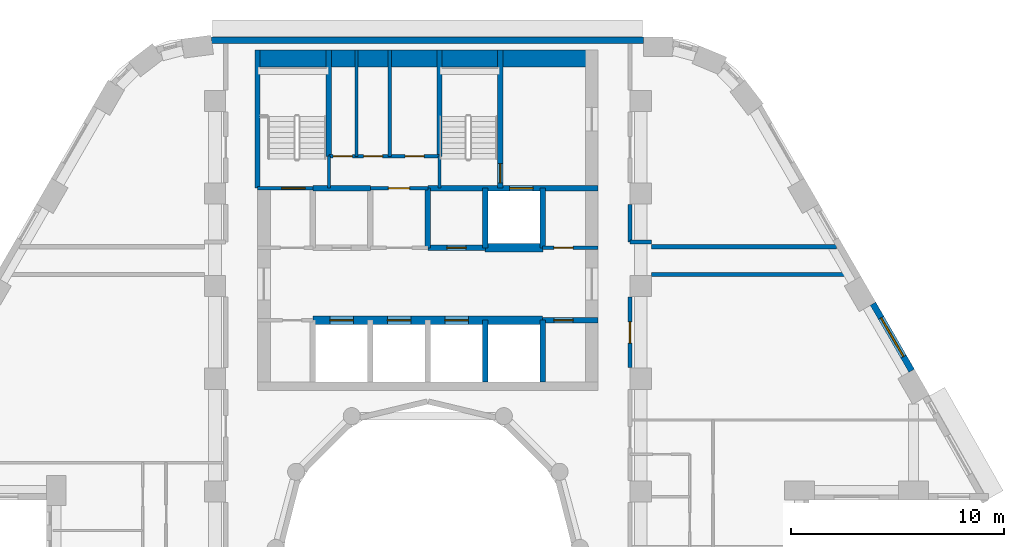
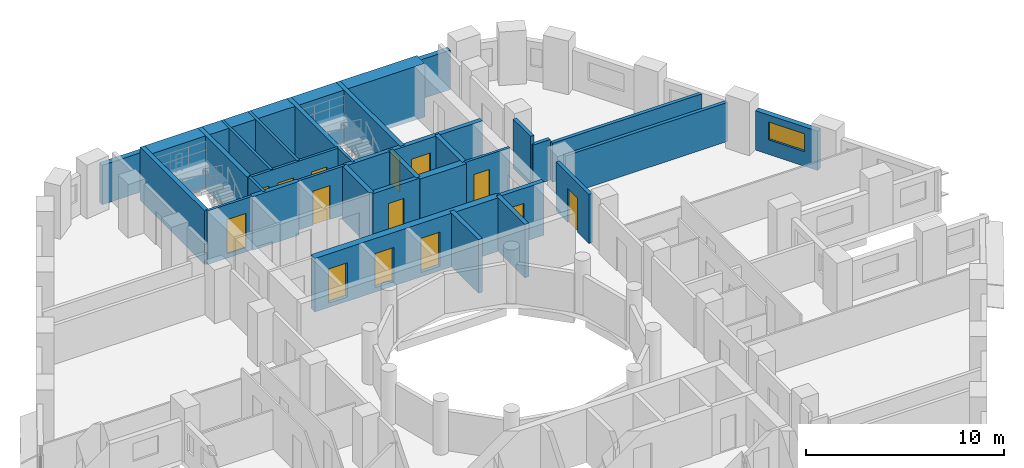
# One storey, part 8 of 12: 31 walls, 14 doors, 1 window, 15 openings.
"""IFC4 building model written with IfcOpenShell, lengths in metres."""

import ifcopenshell
import ifcopenshell.guid

model = None  # the IFC model being written
_history = None  # IfcOwnerHistory: only IFC2X3 demands one
_inside = {}  # id of a spatial element -> (the spatial element, [elements in it])
_under = {}  # id of a project, library or spatial element -> (it, [spatial elements below it])
_declared = {}  # id of a project -> (the project, [libraries it declares])
_typed = {}  # id of a type object -> (the type object, [elements of that type])
_made_of = {}  # id of a material, layer set ... -> (it, [elements and type objects made of it])


def new_model(schema):
    """Start an empty IFC model of exactly this schema.

    Asked for "IFC4X3", IfcOpenShell would pick the latest addendum, in which some entities
    have other attributes; the version numbers below select the first issue.
    IFC2X3 requires an IfcOwnerHistory on every rooted entity: one is made here for all.
    """
    global model, _history
    if schema == "IFC4X3":
        model = ifcopenshell.file(schema_version=(4, 3, 0, 0))
    else:
        model = ifcopenshell.file(schema=schema)
    _inside.clear()
    _under.clear()
    _declared.clear()
    _typed.clear()
    _made_of.clear()
    _history = None
    if model.schema == "IFC2X3":
        org = make("IfcOrganization", Name="unknown")
        user = make(
            "IfcPersonAndOrganization",
            ThePerson=make("IfcPerson", FamilyName="unknown"),
            TheOrganization=org,
        )
        app = make(
            "IfcApplication",
            ApplicationDeveloper=org,
            Version="unknown",
            ApplicationFullName="unknown",
            ApplicationIdentifier="unknown",
        )
        _history = make(
            "IfcOwnerHistory",
            OwningUser=user,
            OwningApplication=app,
            ChangeAction="ADDED",
            CreationDate=0,
        )
    return model


def make(cls, **values):
    """One entity of the class cls with the attributes given. An attribute that is None is left unset."""
    return model.create_entity(
        cls, **{name: value for name, value in values.items() if value is not None}
    )


def rooted(cls, **values):
    """An entity with a GlobalId (a new one), such as an element, a storey or a relation."""
    return make(cls, GlobalId=ifcopenshell.guid.new(), OwnerHistory=_history, **values)


def si_unit(unit_type, name, prefix=None):
    """IfcSIUnit, for example si_unit("LENGTHUNIT", "METRE", prefix="MILLI")."""
    return make("IfcSIUnit", UnitType=unit_type, Prefix=prefix, Name=name)


def assignment(units):
    """IfcUnitAssignment: the units of a project."""
    return None if units is None else make("IfcUnitAssignment", Units=units)


def point(xyz):
    """IfcCartesianPoint."""
    return None if xyz is None else make("IfcCartesianPoint", Coordinates=xyz)


def direction(xyz):
    """IfcDirection."""
    return None if xyz is None else make("IfcDirection", DirectionRatios=xyz)


def frame(location, z_axis=None, x_axis=None):
    """IfcAxis2Placement3D, a coordinate frame: its origin and axes. An axis left out is left unset."""
    return make(
        "IfcAxis2Placement3D",
        Location=point(location),
        Axis=direction(z_axis),
        RefDirection=direction(x_axis),
    )


def frame_2d(location, x_axis=None):
    """IfcAxis2Placement2D, a coordinate frame in the plane: its origin and x axis."""
    return make(
        "IfcAxis2Placement2D", Location=point(location), RefDirection=direction(x_axis)
    )


def origin():
    """The frame at (0, 0, 0) with its axes left unset."""
    return frame((0.0, 0.0, 0.0))


def place(relative_to, where):
    """IfcLocalPlacement: puts the frame where relative to a parent placement (None: the world)."""
    return make(
        "IfcLocalPlacement", PlacementRelTo=relative_to, RelativePlacement=where
    )


def context(
    kind, dimensions, precision=None, world=None, true_north=None, identifier=None
):
    """IfcGeometricRepresentationContext, for example the 3D "Model" context."""
    return make(
        "IfcGeometricRepresentationContext",
        ContextIdentifier=identifier,
        ContextType=kind,
        CoordinateSpaceDimension=dimensions,
        Precision=precision,
        WorldCoordinateSystem=world,
        TrueNorth=true_north,
    )


def subcontext(parent, identifier, kind, view, scale=None):
    """IfcGeometricRepresentationSubContext, for example "Body" below "Model"."""
    return make(
        "IfcGeometricRepresentationSubContext",
        ContextIdentifier=identifier,
        ContextType=kind,
        ParentContext=parent,
        TargetScale=scale,
        TargetView=view,
    )


def project(units=None, contexts=None):
    """IfcProject with its units and contexts."""
    return rooted(
        "IfcProject",
        Name="project",
        RepresentationContexts=contexts,
        UnitsInContext=assignment(units),
    )


def spatial(cls, under=None, at=None, **own):
    """A site, building, storey or space (cls), placed at a placement, below another one or the project."""
    s = rooted(cls, ObjectPlacement=at, **own)
    if under is not None:
        _under.setdefault(under.id(), (under, []))[1].append(s)
    return s


def profile(cls, at=None, kind="AREA", **sizes):
    """A parametric profile (cls). Its sizes go by their IFC names, for example OverallWidth=200.0."""
    return make(cls, ProfileType=kind, Position=at, **sizes)


def rectangle(**sizes):
    """IfcRectangleProfileDef."""
    return profile("IfcRectangleProfileDef", **sizes)


def extrude(swept, where, along, depth):
    """IfcExtrudedAreaSolid: the profile swept, set in the frame where, extruded along a direction by depth."""
    return make(
        "IfcExtrudedAreaSolid",
        SweptArea=swept,
        Position=where,
        ExtrudedDirection=direction(along),
        Depth=depth,
    )


def shape(context_of_items, identifier, shape_type, items):
    """IfcShapeRepresentation: the items that make up one representation, for example the "Body"."""
    return make(
        "IfcShapeRepresentation",
        ContextOfItems=context_of_items,
        RepresentationIdentifier=identifier,
        RepresentationType=shape_type,
        Items=items,
    )


def material(Name=None, Category=None):
    """IfcMaterial."""
    return make("IfcMaterial", Name=Name, Category=Category)


def layer(
    of_material, thickness, ventilated=None, Name=None, Category=None, Priority=None
):
    """IfcMaterialLayer: one layer of a wall or slab, of a material (None: an air gap)."""
    return make(
        "IfcMaterialLayer",
        Material=of_material,
        LayerThickness=thickness,
        IsVentilated=ventilated,
        Name=Name,
        Category=Category,
        Priority=Priority,
    )


def layer_set(layers, Name=None):
    """IfcMaterialLayerSet."""
    return make("IfcMaterialLayerSet", MaterialLayers=layers, LayerSetName=Name)


def made_of(thing, what):
    """Note that an element or type object is made of a material, layer set ...; save() writes the relation."""
    if what is not None:
        _made_of.setdefault(what.id(), (what, []))[1].append(thing)
    return thing


def type_object(cls, material=None, **own):
    """A type object (cls), such as IfcWallType, which elements share."""
    return made_of(rooted(cls, **own), material)


def element(
    cls,
    number,
    at=None,
    inside=None,
    cuts=None,
    type_object=None,
    material=None,
    context=None,
    identifier="Body",
    shape_type=None,
    held_by="IfcProductDefinitionShape",
    body=None,
    shapes=None,
    **own,
):
    """One element of the class cls, such as IfcWall. Its Tag is "e" and its number.

    at: its placement. inside: the storey or other place that contains it. cuts: it is an
    opening in that element (IfcRelVoidsElement). A single representation is given by context,
    identifier, shape_type and body (its items); several are given by shapes. held_by: the class
    of the entity that holds the representations. save() writes the other relations.
    """
    e = rooted(cls, Tag="e%d" % number, ObjectPlacement=at, **own)
    if body is not None:
        shapes = [shape(context, identifier, shape_type, body)]
    if shapes is not None:
        e.Representation = make(held_by, Representations=shapes)
    if inside is not None:
        _inside.setdefault(inside.id(), (inside, []))[1].append(e)
    if cuts is not None:
        rooted(
            "IfcRelVoidsElement", RelatingBuildingElement=cuts, RelatedOpeningElement=e
        )
    if type_object is not None:
        _typed.setdefault(type_object.id(), (type_object, []))[1].append(e)
    return made_of(e, material)


def fill(opening, filler):
    """IfcRelFillsElement: the door or window that sits in an opening."""
    return rooted(
        "IfcRelFillsElement",
        RelatingOpeningElement=opening,
        RelatedBuildingElement=filler,
    )


def aggregate(whole, parts):
    """IfcRelAggregates: a whole, such as a stair, and the parts it consists of."""
    return rooted("IfcRelAggregates", RelatingObject=whole, RelatedObjects=parts)


def save(model, path):
    """Write the relations noted so far, then the file.

    IfcRelAggregates (storeys below a building ...), IfcRelContainedInSpatialStructure (elements
    in a storey), IfcRelDefinesByType, IfcRelAssociatesMaterial and IfcRelDeclares: one each for
    every whole, place, type object, material and project.
    """
    for whole, parts in _under.values():
        aggregate(whole, parts)
    for where, things in _inside.values():
        rooted(
            "IfcRelContainedInSpatialStructure",
            RelatedElements=things,
            RelatingStructure=where,
        )
    for kind, things in _typed.values():
        rooted("IfcRelDefinesByType", RelatedObjects=things, RelatingType=kind)
    for what, things in _made_of.values():
        rooted("IfcRelAssociatesMaterial", RelatedObjects=things, RelatingMaterial=what)
    for by, libraries in _declared.values():
        rooted("IfcRelDeclares", RelatingContext=by, RelatedDefinitions=libraries)
    model.write(path)


model = new_model("IFC4")

# Units and contexts
model_context = context("Model", 3, precision=1e-05, world=origin(), true_north=direction((0.0, 1.0)))
body_context = subcontext(model_context, "Body", "Model", "MODEL_VIEW")
ifc_project = project(units=[si_unit("LENGTHUNIT", "METRE"), si_unit("AREAUNIT", "SQUARE_METRE"), si_unit("VOLUMEUNIT", "CUBIC_METRE"), si_unit("PLANEANGLEUNIT", "RADIAN"), si_unit("MASSUNIT", "GRAM", prefix="KILO")], contexts=[model_context])

# Site, building, storey
site_placement = place(None, origin())
site = spatial("IfcSite", under=ifc_project, at=site_placement, CompositionType="ELEMENT")
building_placement = place(site_placement, origin())
building = spatial("IfcBuilding", under=site, at=building_placement, Name="Nakaniwa Court", CompositionType="ELEMENT")
storey_placement = place(building_placement, frame((0.0, 0.0, 94.199951171875)))
storey = spatial("IfcBuildingStorey", under=building, at=storey_placement, Name="L24", CompositionType="ELEMENT", Elevation=94.199951171875)

# Wall, opening, door
ifc_material_1 = material(Name="Acoustic double stud partition")
ifc_layer_1 = layer(ifc_material_1, 0.199951171875)
ifc_layer_set_1 = layer_set([ifc_layer_1], Name="Acoustic double stud partition")
wall_type_1 = type_object("IfcWallType", Name="Acoustic double stud partition 200", PredefinedType="PARTITIONING", material=ifc_layer_set_1)
wall_1_placement = place(storey_placement, frame((89.5, 91.782958984375, 0.0), z_axis=(0.0, 0.0, 1.0), x_axis=(0.0, -1.0, 0.0)))
wall_1 = element("IfcWall", 1, at=wall_1_placement, inside=storey, type_object=wall_type_1, Name="Partition PW-077", PredefinedType="PARTITIONING", context=body_context, shape_type="SweptSolid", body=[
    extrude(rectangle(XDim=3.31591796875, YDim=0.199951171875, at=frame_2d((1.657958984375, 0.0))), origin(), (0.0, 0.0, 1.0), 3.025146484375),
])
opening_1_placement = place(wall_1_placement, frame((1.157958984375, 0.0, 0.0)))
opening_1 = element("IfcOpeningElement", 2, at=opening_1_placement, cuts=wall_1, Name="Opening D-02-03", PredefinedType="OPENING", context=body_context, shape_type="SweptSolid", body=[
    extrude(rectangle(XDim=1.0, YDim=2.10009765625, at=frame_2d((0.5, 1.050048828125))), frame((0.0, 0.10986328125, 0.0), z_axis=(0.0, -1.0, 0.0), x_axis=(1.0, 0.0, 0.0)), (0.0, 0.0, 1.0), 0.219970703125),
])
ifc_material_2 = material(Name="Solid core timber door set, black veneer", Category="wood")
door_type_1 = type_object("IfcDoorType", Name="Internal door 1000", OperationType="NOTDEFINED", PredefinedType="DOOR", material=ifc_material_2)
door_1_placement = place(opening_1_placement, origin())
door_1 = element("IfcDoor", 3, at=door_1_placement, inside=storey, type_object=door_type_1, Name="Door D-02-03 L24-037", OperationType="SINGLE_SWING_RIGHT", OverallHeight=2.10009765625, OverallWidth=1.0, PredefinedType="DOOR", context=body_context, shape_type="SweptSolid", body=[
    extrude(rectangle(XDim=1.0, YDim=2.10009765625, at=frame_2d((0.5, 1.050048828125))), frame((0.0, 0.02490234375, 0.0), z_axis=(0.0, -1.0, 0.0), x_axis=(1.0, 0.0, 0.0)), (0.0, 0.0, 1.0), 0.050048828125),
])
fill(opening_1, door_1)

# Walls
wall_2_placement = place(storey_placement, frame((89.5, 94.3720703125, 0.0), z_axis=(0.0, 0.0, 1.0), x_axis=(0.0, 1.0, 0.0)))
element("IfcWall", 4, at=wall_2_placement, inside=storey, type_object=wall_type_1, Name="Partition PW-078", PredefinedType="PARTITIONING", context=body_context, shape_type="SweptSolid", body=[
    extrude(rectangle(XDim=1.760986328125, YDim=0.199951171875, at=frame_2d((0.88037109375, 0.0))), origin(), (0.0, 0.0, 1.0), 3.025146484375),
])
wall_3_placement = place(storey_placement, frame((90.5, 92.85009765625, 0.0), z_axis=(0.0, 0.0, 1.0), x_axis=(1.0, 0.0, 0.0)))
element("IfcWall", 5, at=wall_3_placement, inside=storey, type_object=wall_type_1, Name="Partition PW-082", PredefinedType="PARTITIONING", context=body_context, shape_type="SweptSolid", body=[
    extrude(rectangle(XDim=9.447509765625, YDim=0.199951171875, at=frame_2d((4.7236328125, 0.0))), origin(), (0.0, 0.0, 1.0), 2.405029296875),
])
wall_4_placement = place(storey_placement, frame((89.5, 94.375, 0.0), z_axis=(0.0, 0.0, 1.0), x_axis=(1.0, 0.0, 0.0)))
element("IfcWall", 6, at=wall_4_placement, inside=storey, type_object=wall_type_1, Name="Partition PW-084", PredefinedType="PARTITIONING", context=body_context, shape_type="SweptSolid", body=[
    extrude(rectangle(XDim=1.0, YDim=0.199951171875, at=frame_2d((0.5, 0.0))), origin(), (0.0, 0.0, 1.0), 2.505126953125),
])
wall_5_placement = place(storey_placement, frame((90.5, 94.14990234375, 0.0), z_axis=(0.0, 0.0, 1.0), x_axis=(1.0, 0.0, 0.0)))
element("IfcWall", 7, at=wall_5_placement, inside=storey, type_object=wall_type_1, Name="Partition PW-086", PredefinedType="PARTITIONING", context=body_context, shape_type="SweptSolid", body=[
    extrude(rectangle(XDim=8.697021484375, YDim=0.199951171875, at=frame_2d((4.3486328125, 0.0))), origin(), (0.0, 0.0, 1.0), 2.405029296875),
])

# Wall, opening, window
ifc_material_3 = material(Name="Charcoal ceramic cladding")
ifc_layer_2 = layer(ifc_material_3, 0.02, Name="Ceramic cladding")
ifc_material_4 = material(Name="Ventilated air cavity")
ifc_layer_3 = layer(ifc_material_4, 0.04, ventilated=True, Name="Ventilated cavity")
ifc_material_5 = material(Name="Mineral wool insulation")
ifc_layer_4 = layer(ifc_material_5, 0.1, Name="Insulation")
ifc_material_6 = material(Name="Cement bonded sheathing board")
ifc_layer_5 = layer(ifc_material_6, 0.012, Name="Sheathing")
ifc_material_7 = material(Name="Cold-formed galvanised stud frame with mineral wool infill")
ifc_layer_6 = layer(ifc_material_7, 0.1, Name="Stud frame")
ifc_material_8 = material(Name="Fire-rated gypsum plasterboard lining")
ifc_layer_7 = layer(ifc_material_8, 0.028, Name="Lining")
ifc_layer_set_2 = layer_set([ifc_layer_2, ifc_layer_3, ifc_layer_4, ifc_layer_5, ifc_layer_6, ifc_layer_7], Name="Charcoal ceramic faced external wall system")
wall_type_2 = type_object("IfcWallType", Name="Black ceramic faced external wall 300", PredefinedType="SOLIDWALL", material=ifc_layer_set_2)
wall_6_placement = place(storey_placement, frame((102.734619140625, 88.322509765625, 0.0), z_axis=(0.0, 0.0, 1.0), x_axis=(-0.500009139881, 0.866020126807, 0.0)))
wall_6 = element("IfcWall", 8, at=wall_6_placement, inside=storey, type_object=wall_type_2, Name="L24 external wall 03", PredefinedType="SOLIDWALL", context=body_context, shape_type="SweptSolid", body=[
    extrude(rectangle(XDim=3.63671875, YDim=0.300048828125, at=frame_2d((1.818359375, 0.0))), origin(), (0.0, 0.0, 1.0), 2.425048828125),
])
opening_2_placement = place(wall_6_placement, frame((0.768310546875, 0.0, 0.89990234375)))
opening_2 = element("IfcOpeningElement", 9, at=opening_2_placement, cuts=wall_6, Name="Opening W7.05", PredefinedType="OPENING", context=body_context, shape_type="SweptSolid", body=[
    extrude(rectangle(XDim=2.10009765625, YDim=1.10009765625, at=frame_2d((1.050048828125, 0.550048828125))), frame((0.0, 0.159912109375, 0.0), z_axis=(0.0, -1.0, 0.0), x_axis=(1.0, 0.0, 0.0)), (0.0, 0.0, 1.0), 0.320068359375),
])
ifc_material_9 = material(Name="Black anodised aluminium frame with dark low-E laminated double glazing", Category="aluminium")
window_type = type_object("IfcWindowType", Name="Dark glass window 2100x1100 sill 900", PartitioningType="SINGLE_PANEL", PredefinedType="WINDOW", material=ifc_material_9)
window_placement = place(opening_2_placement, origin())
window = element("IfcWindow", 10, at=window_placement, inside=storey, type_object=window_type, Name="L24 habitable room window 03-0", OverallHeight=1.10009765625, OverallWidth=2.10009765625, PartitioningType="SINGLE_PANEL", PredefinedType="WINDOW", context=body_context, shape_type="SweptSolid", body=[
    extrude(rectangle(XDim=2.10009765625, YDim=1.10009765625, at=frame_2d((1.050048828125, 0.550048828125))), frame((0.0, 0.030029296875, 0.0), z_axis=(0.0, -1.0, 0.0), x_axis=(1.0, 0.0, 0.0)), (0.0, 0.0, 1.0), 0.06005859375),
])
fill(opening_2, window)

# Wall
wall_7_placement = place(storey_placement, frame((90.128662109375, 103.85009765625, 0.0), z_axis=(0.0, 0.0, 1.0), x_axis=(-1.0, 0.0, 0.0)))
element("IfcWall", 11, at=wall_7_placement, inside=storey, type_object=wall_type_2, Name="L24 external wall 08", PredefinedType="SOLIDWALL", context=body_context, shape_type="SweptSolid", body=[
    extrude(rectangle(XDim=20.290771484375, YDim=0.300048828125, at=frame_2d((10.1455078125, 0.0))), origin(), (0.0, 0.0, 1.0), 2.425048828125),
])

# Wall, opening, door
ifc_material_10 = material(Name="Blockwork partition", Category="masonry")
ifc_layer_8 = layer(ifc_material_10, 0.14990234375)
ifc_layer_set_3 = layer_set([ifc_layer_8], Name="Blockwork partition")
wall_type_3 = type_object("IfcWallType", Name="Blockwork partition 150", PredefinedType="PARTITIONING", material=ifc_layer_set_3)
wall_8_placement = place(storey_placement, frame((85.39697265625, 94.10009765625, 0.0), z_axis=(0.0, 0.0, 1.0), x_axis=(1.0, 0.0, 0.0)))
wall_8 = element("IfcWall", 12, at=wall_8_placement, inside=storey, type_object=wall_type_3, Name="Partition PW-018", PredefinedType="PARTITIONING", context=body_context, shape_type="SweptSolid", body=[
    extrude(rectangle(XDim=2.60302734375, YDim=0.14990234375, at=frame_2d((1.301513671875, 0.0))), origin(), (0.0, 0.0, 1.0), 3.025146484375),
])
opening_3_placement = place(wall_8_placement, frame((0.528076171875, 0.0, 0.0)))
opening_3 = element("IfcOpeningElement", 13, at=opening_3_placement, cuts=wall_8, Name="Opening D-05-05", PredefinedType="OPENING", context=body_context, shape_type="SweptSolid", body=[
    extrude(rectangle(XDim=0.89990234375, YDim=2.10009765625, at=frame_2d((0.449951171875, 1.050048828125))), frame((0.0, 0.0849609375, 0.0), z_axis=(0.0, -1.0, 0.0), x_axis=(1.0, 0.0, 0.0)), (0.0, 0.0, 1.0), 0.169921875),
])
ifc_material_11 = material(Name="Fire rated steel door set", Category="steel")
door_type_2 = type_object("IfcDoorType", Name="Service room door 900", OperationType="NOTDEFINED", PredefinedType="DOOR", material=ifc_material_11)
door_2_placement = place(opening_3_placement, origin())
door_2 = element("IfcDoor", 14, at=door_2_placement, inside=storey, type_object=door_type_2, Name="Door D-05-05 L24-007", OperationType="SINGLE_SWING_RIGHT", OverallHeight=2.10009765625, OverallWidth=0.89990234375, PredefinedType="DOOR", context=body_context, shape_type="SweptSolid", body=[
    extrude(rectangle(XDim=0.89990234375, YDim=2.10009765625, at=frame_2d((0.449951171875, 1.050048828125))), frame((0.0, 0.02490234375, 0.0), z_axis=(0.0, -1.0, 0.0), x_axis=(1.0, 0.0, 0.0)), (0.0, 0.0, 1.0), 0.050048828125),
])
fill(opening_3, door_2)

wall_9_placement = place(storey_placement, frame((77.300048828125, 96.89990234375, 0.0), z_axis=(0.0, 0.0, 1.0), x_axis=(1.0, 0.0, 0.0)))
wall_9 = element("IfcWall", 15, at=wall_9_placement, inside=storey, type_object=wall_type_3, Name="Partition PW-025", PredefinedType="PARTITIONING", context=body_context, shape_type="SweptSolid", body=[
    extrude(rectangle(XDim=2.699951171875, YDim=0.14990234375, at=frame_2d((1.35009765625, 0.0))), origin(), (0.0, 0.0, 1.0), 3.025146484375),
])
opening_4_placement = place(wall_9_placement, frame((0.85009765625, 0.0, 0.0)))
opening_4 = element("IfcOpeningElement", 16, at=opening_4_placement, cuts=wall_9, Name="Opening D-23-01", PredefinedType="OPENING", context=body_context, shape_type="SweptSolid", body=[
    extrude(rectangle(XDim=1.0, YDim=2.10009765625, at=frame_2d((0.5, 1.050048828125))), frame((0.0, 0.0849609375, 0.0), z_axis=(0.0, -1.0, 0.0), x_axis=(1.0, 0.0, 0.0)), (0.0, 0.0, 1.0), 0.169921875),
])
door_type_3 = type_object("IfcDoorType", Name="Service room door 1000", OperationType="NOTDEFINED", PredefinedType="DOOR", material=ifc_material_11)
door_3_placement = place(opening_4_placement, origin())
door_3 = element("IfcDoor", 17, at=door_3_placement, inside=storey, type_object=door_type_3, Name="Door D-23-01 L24-008", OperationType="SINGLE_SWING_LEFT", OverallHeight=2.10009765625, OverallWidth=1.0, PredefinedType="DOOR", context=body_context, shape_type="SweptSolid", body=[
    extrude(rectangle(XDim=1.0, YDim=2.10009765625, at=frame_2d((0.5, 1.050048828125))), frame((0.0, 0.02490234375, 0.0), z_axis=(0.0, -1.0, 0.0), x_axis=(1.0, 0.0, 0.0)), (0.0, 0.0, 1.0), 0.050048828125),
])
fill(opening_4, door_3)

# Wall, openings, doors
wall_10_placement = place(storey_placement, frame((75.35009765625, 98.39990234375, 0.0), z_axis=(0.0, 0.0, 1.0), x_axis=(1.0, 0.0, 0.0)))
wall_10 = element("IfcWall", 18, at=wall_10_placement, inside=storey, type_object=wall_type_3, Name="Partition PW-032", PredefinedType="PARTITIONING", context=body_context, shape_type="SweptSolid", body=[
    extrude(rectangle(XDim=5.199951171875, YDim=0.14990234375, at=frame_2d((2.60009765625, 0.0))), origin(), (0.0, 0.0, 1.0), 3.025146484375),
])
opening_5_placement = place(wall_10_placement, frame((0.199951171875, 0.0, 0.0)))
opening_5 = element("IfcOpeningElement", 19, at=opening_5_placement, cuts=wall_10, Name="Opening D-05-06", PredefinedType="OPENING", context=body_context, shape_type="SweptSolid", body=[
    extrude(rectangle(XDim=0.89990234375, YDim=2.10009765625, at=frame_2d((0.449951171875, 1.050048828125))), frame((0.0, 0.0849609375, 0.0), z_axis=(0.0, -1.0, 0.0), x_axis=(1.0, 0.0, 0.0)), (0.0, 0.0, 1.0), 0.169921875),
])
opening_6_placement = place(wall_10_placement, frame((1.6298828125, 0.0, 0.0)))
opening_6 = element("IfcOpeningElement", 20, at=opening_6_placement, cuts=wall_10, Name="Opening D-05-07", PredefinedType="OPENING", context=body_context, shape_type="SweptSolid", body=[
    extrude(rectangle(XDim=0.89990234375, YDim=2.10009765625, at=frame_2d((0.449951171875, 1.050048828125))), frame((0.0, 0.0849609375, 0.0), z_axis=(0.0, -1.0, 0.0), x_axis=(1.0, 0.0, 0.0)), (0.0, 0.0, 1.0), 0.169921875),
])
opening_7_placement = place(wall_10_placement, frame((3.580078125, 0.0, 0.0)))
opening_7 = element("IfcOpeningElement", 21, at=opening_7_placement, cuts=wall_10, Name="Opening D-05-08", PredefinedType="OPENING", context=body_context, shape_type="SweptSolid", body=[
    extrude(rectangle(XDim=0.89990234375, YDim=2.10009765625, at=frame_2d((0.449951171875, 1.050048828125))), frame((0.0, 0.0849609375, 0.0), z_axis=(0.0, -1.0, 0.0), x_axis=(1.0, 0.0, 0.0)), (0.0, 0.0, 1.0), 0.169921875),
])
door_4_placement = place(opening_5_placement, origin())
door_4 = element("IfcDoor", 22, at=door_4_placement, inside=storey, type_object=door_type_2, Name="Door D-05-06 L24-009", OperationType="SINGLE_SWING_RIGHT", OverallHeight=2.10009765625, OverallWidth=0.89990234375, PredefinedType="DOOR", context=body_context, shape_type="SweptSolid", body=[
    extrude(rectangle(XDim=0.89990234375, YDim=2.10009765625, at=frame_2d((0.449951171875, 1.050048828125))), frame((0.0, 0.02490234375, 0.0), z_axis=(0.0, -1.0, 0.0), x_axis=(1.0, 0.0, 0.0)), (0.0, 0.0, 1.0), 0.050048828125),
])
fill(opening_5, door_4)
door_5_placement = place(opening_6_placement, origin())
door_5 = element("IfcDoor", 23, at=door_5_placement, inside=storey, type_object=door_type_2, Name="Door D-05-07 L24-010", OperationType="SINGLE_SWING_LEFT", OverallHeight=2.10009765625, OverallWidth=0.89990234375, PredefinedType="DOOR", context=body_context, shape_type="SweptSolid", body=[
    extrude(rectangle(XDim=0.89990234375, YDim=2.10009765625, at=frame_2d((0.449951171875, 1.050048828125))), frame((0.0, 0.02490234375, 0.0), z_axis=(0.0, -1.0, 0.0), x_axis=(1.0, 0.0, 0.0)), (0.0, 0.0, 1.0), 0.050048828125),
])
fill(opening_6, door_5)
door_6_placement = place(opening_7_placement, origin())
door_6 = element("IfcDoor", 24, at=door_6_placement, inside=storey, type_object=door_type_2, Name="Door D-05-08 L24-011", OperationType="SINGLE_SWING_RIGHT", OverallHeight=2.10009765625, OverallWidth=0.89990234375, PredefinedType="DOOR", context=body_context, shape_type="SweptSolid", body=[
    extrude(rectangle(XDim=0.89990234375, YDim=2.10009765625, at=frame_2d((0.449951171875, 1.050048828125))), frame((0.0, 0.02490234375, 0.0), z_axis=(0.0, -1.0, 0.0), x_axis=(1.0, 0.0, 0.0)), (0.0, 0.0, 1.0), 0.050048828125),
])
fill(opening_7, door_6)

# Walls
for number, where, z_axis, x_axis, name in (
    (25, (76.64990234375, 98.39990234375, 0.0), (0.0, 0.0, 1.0), (0.0, 1.0, 0.0), "Partition PW-033"),
    (26, (78.2099609375, 98.39990234375, 0.0), (0.0, 0.0, 1.0), (0.0, 1.0, 0.0), "Partition PW-034"),
):
    element("IfcWall", number, at=place(storey_placement, frame(where, z_axis=z_axis, x_axis=x_axis)), inside=storey, type_object=wall_type_3, Name=name, PredefinedType="PARTITIONING", context=body_context, shape_type="SweptSolid", body=[
        extrude(rectangle(XDim=5.0, YDim=0.14990234375, at=frame_2d((2.5, 0.0))), origin(), (0.0, 0.0, 1.0), 3.025146484375),
    ])

# Wall, openings, doors
ifc_material_12 = material(Name="Concrete C80/100", Category="concrete")
ifc_layer_9 = layer(ifc_material_12, 0.39990234375)
ifc_layer_set_4 = layer_set([ifc_layer_9], Name="Concrete C80/100")
wall_type_4 = type_object("IfcWallType", Name="Concrete core spine wall 400 C80", PredefinedType="SHEAR", material=ifc_layer_set_4)
wall_11_placement = place(storey_placement, frame((74.60009765625, 90.699951171875, -0.27490234375), z_axis=(0.0, 0.0, 1.0), x_axis=(1.0, 0.0, 0.0)))
wall_11 = element("IfcWall", 27, at=wall_11_placement, inside=storey, type_object=wall_type_4, Name="Core wall SW-07", PredefinedType="SHEAR", context=body_context, shape_type="SweptSolid", body=[
    extrude(rectangle(XDim=10.7998046875, YDim=0.39990234375, at=frame_2d((5.39990234375, 0.0))), origin(), (0.0, 0.0, 1.0), 3.300048828125),
])
opening_8_placement = place(wall_11_placement, frame((0.800048828125, 0.0, 0.27490234375)))
opening_8 = element("IfcOpeningElement", 28, at=opening_8_placement, cuts=wall_11, Name="Opening LD01", PredefinedType="OPENING", context=body_context, shape_type="SweptSolid", body=[
    extrude(rectangle(XDim=1.10009765625, YDim=2.10009765625, at=frame_2d((0.550048828125, 1.050048828125))), frame((0.0, 0.2099609375, 0.0), z_axis=(0.0, -1.0, 0.0), x_axis=(1.0, 0.0, 0.0)), (0.0, 0.0, 1.0), 0.419921875),
])
opening_9_placement = place(wall_11_placement, frame((3.5, 0.0, 0.27490234375)))
opening_9 = element("IfcOpeningElement", 29, at=opening_9_placement, cuts=wall_11, Name="Opening LD02", PredefinedType="OPENING", context=body_context, shape_type="SweptSolid", body=[
    extrude(rectangle(XDim=1.10009765625, YDim=2.10009765625, at=frame_2d((0.550048828125, 1.050048828125))), frame((0.0, 0.2099609375, 0.0), z_axis=(0.0, -1.0, 0.0), x_axis=(1.0, 0.0, 0.0)), (0.0, 0.0, 1.0), 0.419921875),
])
opening_10_placement = place(wall_11_placement, frame((6.199951171875, 0.0, 0.27490234375)))
opening_10 = element("IfcOpeningElement", 30, at=opening_10_placement, cuts=wall_11, Name="Opening LD03", PredefinedType="OPENING", context=body_context, shape_type="SweptSolid", body=[
    extrude(rectangle(XDim=1.10009765625, YDim=2.10009765625, at=frame_2d((0.550048828125, 1.050048828125))), frame((0.0, 0.2099609375, 0.0), z_axis=(0.0, -1.0, 0.0), x_axis=(1.0, 0.0, 0.0)), (0.0, 0.0, 1.0), 0.419921875),
])
ifc_material_13 = material(Name="Stainless steel sliding lift landing door", Category="steel")
door_type_4 = type_object("IfcDoorType", Name="Lift landing door 1100", OperationType="NOTDEFINED", PredefinedType="DOOR", material=ifc_material_13)
door_7_placement = place(opening_8_placement, origin())
door_7 = element("IfcDoor", 31, at=door_7_placement, inside=storey, type_object=door_type_4, Name="Lift landing door LD01 L24-001", OperationType="SLIDING_TO_LEFT", OverallHeight=2.10009765625, OverallWidth=1.10009765625, PredefinedType="DOOR", context=body_context, shape_type="SweptSolid", body=[
    extrude(rectangle(XDim=1.10009765625, YDim=2.10009765625, at=frame_2d((0.550048828125, 1.050048828125))), frame((0.0, 0.02490234375, 0.0), z_axis=(0.0, -1.0, 0.0), x_axis=(1.0, 0.0, 0.0)), (0.0, 0.0, 1.0), 0.050048828125),
])
fill(opening_8, door_7)
door_8_placement = place(opening_9_placement, origin())
door_8 = element("IfcDoor", 32, at=door_8_placement, inside=storey, type_object=door_type_4, Name="Lift landing door LD02 L24-002", OperationType="SLIDING_TO_LEFT", OverallHeight=2.10009765625, OverallWidth=1.10009765625, PredefinedType="DOOR", context=body_context, shape_type="SweptSolid", body=[
    extrude(rectangle(XDim=1.10009765625, YDim=2.10009765625, at=frame_2d((0.550048828125, 1.050048828125))), frame((0.0, 0.02490234375, 0.0), z_axis=(0.0, -1.0, 0.0), x_axis=(1.0, 0.0, 0.0)), (0.0, 0.0, 1.0), 0.050048828125),
])
fill(opening_9, door_8)
door_9_placement = place(opening_10_placement, origin())
door_9 = element("IfcDoor", 33, at=door_9_placement, inside=storey, type_object=door_type_4, Name="Lift landing door LD03 L24-003", OperationType="SLIDING_TO_LEFT", OverallHeight=2.10009765625, OverallWidth=1.10009765625, PredefinedType="DOOR", context=body_context, shape_type="SweptSolid", body=[
    extrude(rectangle(XDim=1.10009765625, YDim=2.10009765625, at=frame_2d((0.550048828125, 1.050048828125))), frame((0.0, 0.02490234375, 0.0), z_axis=(0.0, -1.0, 0.0), x_axis=(1.0, 0.0, 0.0)), (0.0, 0.0, 1.0), 0.050048828125),
])
fill(opening_10, door_9)

# Wall
wall_12_placement = place(storey_placement, frame((82.697021484375, 94.10009765625, -0.27490234375), z_axis=(0.0, 0.0, 1.0), x_axis=(1.0, 0.0, 0.0)))
element("IfcWall", 34, at=wall_12_placement, inside=storey, type_object=wall_type_4, Name="Core wall SW-21", PredefinedType="SHEAR", context=body_context, shape_type="SweptSolid", body=[
    extrude(rectangle(XDim=2.7060546875, YDim=0.39990234375, at=frame_2d((1.35302734375, 0.0))), origin(), (0.0, 0.0, 1.0), 3.300048828125),
])

# Wall, opening, door
ifc_layer_10 = layer(ifc_material_12, 0.14990234375)
ifc_layer_set_5 = layer_set([ifc_layer_10], Name="Concrete C80/100")
wall_type_5 = type_object("IfcWallType", Name="Concrete core wall 150 C80", PredefinedType="SHEAR", material=ifc_layer_set_5)
wall_13_placement = place(storey_placement, frame((74.60009765625, 96.89990234375, -0.27490234375), z_axis=(0.0, 0.0, 1.0), x_axis=(-1.0, 0.0, 0.0)))
wall_13 = element("IfcWall", 35, at=wall_13_placement, inside=storey, type_object=wall_type_5, Name="Core wall SW-22", PredefinedType="SHEAR", context=body_context, shape_type="SweptSolid", body=[
    extrude(rectangle(XDim=2.60009765625, YDim=0.14990234375, at=frame_2d((1.300048828125, 0.0))), origin(), (0.0, 0.0, 1.0), 3.300048828125),
])
opening_11_placement = place(wall_13_placement, frame((0.3701171875, 0.0, 0.27490234375)))
opening_11 = element("IfcOpeningElement", 36, at=opening_11_placement, cuts=wall_13, Name="Opening D-09-01", PredefinedType="OPENING", context=body_context, shape_type="SweptSolid", body=[
    extrude(rectangle(XDim=1.10009765625, YDim=2.10009765625, at=frame_2d((0.550048828125, 1.050048828125))), frame((0.0, 0.0849609375, 0.0), z_axis=(0.0, -1.0, 0.0), x_axis=(1.0, 0.0, 0.0)), (0.0, 0.0, 1.0), 0.169921875),
])
door_type_5 = type_object("IfcDoorType", Name="Stair door 1100", OperationType="NOTDEFINED", PredefinedType="DOOR", material=ifc_material_11)
door_10_placement = place(opening_11_placement, origin())
door_10 = element("IfcDoor", 37, at=door_10_placement, inside=storey, type_object=door_type_5, Name="Door D-09-01 L24-012", OperationType="SINGLE_SWING_RIGHT", OverallHeight=2.10009765625, OverallWidth=1.10009765625, PredefinedType="DOOR", context=body_context, shape_type="SweptSolid", body=[
    extrude(rectangle(XDim=1.10009765625, YDim=2.10009765625, at=frame_2d((0.550048828125, 1.050048828125))), frame((0.0, 0.02490234375, 0.0), z_axis=(0.0, -1.0, 0.0), x_axis=(1.0, 0.0, 0.0)), (0.0, 0.0, 1.0), 0.050048828125),
])
fill(opening_11, door_10)

# Walls
for number, where, z_axis, x_axis, name in (
    (38, (75.35009765625, 96.89990234375, -0.27490234375), (0.0, 0.0, 1.0), (0.0, 1.0, 0.0), "Core wall SW-26"),
    (39, (80.550048828125, 96.89990234375, -0.27490234375), (0.0, 0.0, 1.0), (0.0, 1.0, 0.0), "Core wall SW-30"),
):
    element("IfcWall", number, at=place(storey_placement, frame(where, z_axis=z_axis, x_axis=x_axis)), inside=storey, type_object=wall_type_5, Name=name, PredefinedType="SHEAR", context=body_context, shape_type="SweptSolid", body=[
        extrude(rectangle(XDim=1.503173828125, YDim=0.14990234375, at=frame_2d((0.75146484375, 0.0))), origin(), (0.0, 0.0, 1.0), 3.300048828125),
    ])
ifc_layer_11 = layer(ifc_material_12, 0.25)
ifc_layer_set_6 = layer_set([ifc_layer_11], Name="Concrete C80/100")
wall_type_6 = type_object("IfcWallType", Name="Concrete core wall 250 C80", PredefinedType="SHEAR", material=ifc_layer_set_6)
wall_14_placement = place(storey_placement, frame((72.0, 96.89990234375, -0.27490234375), z_axis=(0.0, 0.0, 1.0), x_axis=(0.0, 1.0, 0.0)))
element("IfcWall", 40, at=wall_14_placement, inside=storey, type_object=wall_type_6, Name="Core wall SW-28", PredefinedType="SHEAR", context=body_context, shape_type="SweptSolid", body=[
    extrude(rectangle(XDim=6.5, YDim=0.25, at=frame_2d((3.25, 0.0))), origin(), (0.0, 0.0, 1.0), 3.300048828125),
])
ifc_layer_12 = layer(ifc_material_12, 0.800048828125)
ifc_layer_set_7 = layer_set([ifc_layer_12], Name="Concrete C80/100")
wall_type_7 = type_object("IfcWallType", Name="Concrete core wall 800 C80", PredefinedType="SHEAR", material=ifc_layer_set_7)
wall_15_placement = place(storey_placement, frame((72.00390625, 103.0, -0.27490234375), z_axis=(0.0, 0.0, 1.0), x_axis=(1.0, 0.0, 0.0)))
element("IfcWall", 41, at=wall_15_placement, inside=storey, type_object=wall_type_7, Name="Core wall SW-127", PredefinedType="SHEAR", context=body_context, shape_type="SweptSolid", body=[
    extrude(rectangle(XDim=15.9921875, YDim=0.800048828125, at=frame_2d((7.99609375, 0.0))), origin(), (0.0, 0.0, 1.0), 3.300048828125),
])
ifc_layer_13 = layer(ifc_material_12, 0.25)
ifc_layer_set_8 = layer_set([ifc_layer_13], Name="Concrete C80/100")
wall_type_8 = type_object("IfcWallType", Name="Concrete shaft wall 250 C80", PredefinedType="SHEAR", material=ifc_layer_set_8)
wall_16_placement = place(storey_placement, frame((80.0, 94.10009765625, -0.27490234375), z_axis=(0.0, 0.0, 1.0), x_axis=(0.0, 1.0, 0.0)))
element("IfcWall", 42, at=wall_16_placement, inside=storey, type_object=wall_type_8, Name="Core wall SW-09", PredefinedType="SHEAR", context=body_context, shape_type="SweptSolid", body=[
    extrude(rectangle(XDim=2.7998046875, YDim=0.25, at=frame_2d((1.39990234375, 0.0))), origin(), (0.0, 0.0, 1.0), 3.300048828125),
])
wall_17_placement = place(storey_placement, frame((82.699951171875, 87.800048828125, -0.27490234375), z_axis=(0.0, 0.0, 1.0), x_axis=(0.0, 1.0, 0.0)))
element("IfcWall", 43, at=wall_17_placement, inside=storey, type_object=wall_type_8, Name="Core wall SW-10", PredefinedType="SHEAR", context=body_context, shape_type="SweptSolid", body=[
    extrude(rectangle(XDim=2.89990234375, YDim=0.25, at=frame_2d((1.449951171875, 0.0))), origin(), (0.0, 0.0, 1.0), 3.300048828125),
])
wall_18_placement = place(storey_placement, frame((82.699951171875, 94.10009765625, -0.27490234375), z_axis=(0.0, 0.0, 1.0), x_axis=(0.0, 1.0, 0.0)))
element("IfcWall", 44, at=wall_18_placement, inside=storey, type_object=wall_type_8, Name="Core wall SW-11", PredefinedType="SHEAR", context=body_context, shape_type="SweptSolid", body=[
    extrude(rectangle(XDim=2.7998046875, YDim=0.25, at=frame_2d((1.39990234375, 0.0))), origin(), (0.0, 0.0, 1.0), 3.300048828125),
])
wall_19_placement = place(storey_placement, frame((85.39990234375, 87.800048828125, -0.27490234375), z_axis=(0.0, 0.0, 1.0), x_axis=(0.0, 1.0, 0.0)))
element("IfcWall", 45, at=wall_19_placement, inside=storey, type_object=wall_type_8, Name="Core wall SW-12", PredefinedType="SHEAR", context=body_context, shape_type="SweptSolid", body=[
    extrude(rectangle(XDim=2.89990234375, YDim=0.25, at=frame_2d((1.449951171875, 0.0))), origin(), (0.0, 0.0, 1.0), 3.300048828125),
])
wall_20_placement = place(storey_placement, frame((85.39990234375, 94.10009765625, -0.27490234375), z_axis=(0.0, 0.0, 1.0), x_axis=(0.0, 1.0, 0.0)))
element("IfcWall", 46, at=wall_20_placement, inside=storey, type_object=wall_type_8, Name="Core wall SW-13", PredefinedType="SHEAR", context=body_context, shape_type="SweptSolid", body=[
    extrude(rectangle(XDim=2.7998046875, YDim=0.25, at=frame_2d((1.39990234375, 0.0))), origin(), (0.0, 0.0, 1.0), 3.300048828125),
])

# Wall, opening, door
wall_21_placement = place(storey_placement, frame((88.0, 90.699951171875, -0.27490234375), z_axis=(0.0, 0.0, 1.0), x_axis=(-1.0, 0.0, 0.0)))
wall_21 = element("IfcWall", 47, at=wall_21_placement, inside=storey, type_object=wall_type_8, Name="Core wall SW-14", PredefinedType="SHEAR", context=body_context, shape_type="SweptSolid", body=[
    extrude(rectangle(XDim=2.60009765625, YDim=0.25, at=frame_2d((1.300048828125, 0.0))), origin(), (0.0, 0.0, 1.0), 3.300048828125),
])
opening_12_placement = place(wall_21_placement, frame((1.175048828125, 0.0, 0.27490234375)))
opening_12 = element("IfcOpeningElement", 48, at=opening_12_placement, cuts=wall_21, Name="Opening D-05-02", PredefinedType="OPENING", context=body_context, shape_type="SweptSolid", body=[
    extrude(rectangle(XDim=0.89990234375, YDim=2.10009765625, at=frame_2d((0.449951171875, 1.050048828125))), frame((0.0, 0.135009765625, 0.0), z_axis=(0.0, -1.0, 0.0), x_axis=(1.0, 0.0, 0.0)), (0.0, 0.0, 1.0), 0.27001953125),
])
door_11_placement = place(opening_12_placement, origin())
door_11 = element("IfcDoor", 49, at=door_11_placement, inside=storey, type_object=door_type_2, Name="Door D-05-02 L24-002", OperationType="SINGLE_SWING_LEFT", OverallHeight=2.10009765625, OverallWidth=0.89990234375, PredefinedType="DOOR", context=body_context, shape_type="SweptSolid", body=[
    extrude(rectangle(XDim=0.89990234375, YDim=2.10009765625, at=frame_2d((0.449951171875, 1.050048828125))), frame((0.0, 0.02490234375, 0.0), z_axis=(0.0, -1.0, 0.0), x_axis=(1.0, 0.0, 0.0)), (0.0, 0.0, 1.0), 0.050048828125),
])
fill(opening_12, door_11)

wall_22_placement = place(storey_placement, frame((79.9970703125, 94.10009765625, -0.27490234375), z_axis=(0.0, 0.0, 1.0), x_axis=(1.0, 0.0, 0.0)))
wall_22 = element("IfcWall", 50, at=wall_22_placement, inside=storey, type_object=wall_type_8, Name="Core wall SW-20", PredefinedType="SHEAR", context=body_context, shape_type="SweptSolid", body=[
    extrude(rectangle(XDim=2.705810546875, YDim=0.25, at=frame_2d((1.35302734375, 0.0))), origin(), (0.0, 0.0, 1.0), 3.300048828125),
])
opening_13_placement = place(wall_22_placement, frame((0.903076171875, 0.0, 0.27490234375)))
opening_13 = element("IfcOpeningElement", 51, at=opening_13_placement, cuts=wall_22, Name="Opening D-05-04", PredefinedType="OPENING", context=body_context, shape_type="SweptSolid", body=[
    extrude(rectangle(XDim=0.89990234375, YDim=2.10009765625, at=frame_2d((0.449951171875, 1.050048828125))), frame((0.0, 0.135009765625, 0.0), z_axis=(0.0, -1.0, 0.0), x_axis=(1.0, 0.0, 0.0)), (0.0, 0.0, 1.0), 0.27001953125),
])
door_12_placement = place(opening_13_placement, origin())
door_12 = element("IfcDoor", 52, at=door_12_placement, inside=storey, type_object=door_type_2, Name="Door D-05-04 L24-006", OperationType="SINGLE_SWING_LEFT", OverallHeight=2.10009765625, OverallWidth=0.89990234375, PredefinedType="DOOR", context=body_context, shape_type="SweptSolid", body=[
    extrude(rectangle(XDim=0.89990234375, YDim=2.10009765625, at=frame_2d((0.449951171875, 1.050048828125))), frame((0.0, 0.02490234375, 0.0), z_axis=(0.0, -1.0, 0.0), x_axis=(1.0, 0.0, 0.0)), (0.0, 0.0, 1.0), 0.050048828125),
])
fill(opening_13, door_12)

# Wall
wall_23_placement = place(storey_placement, frame((74.60009765625, 96.89990234375, -0.27490234375), z_axis=(0.0, 0.0, 1.0), x_axis=(1.0, 0.0, 0.0)))
element("IfcWall", 53, at=wall_23_placement, inside=storey, type_object=wall_type_8, Name="Core wall SW-23", PredefinedType="SHEAR", context=body_context, shape_type="SweptSolid", body=[
    extrude(rectangle(XDim=2.699951171875, YDim=0.25, at=frame_2d((1.35009765625, 0.0))), origin(), (0.0, 0.0, 1.0), 3.300048828125),
])

# Wall, opening, door
wall_24_placement = place(storey_placement, frame((80.0, 96.89990234375, -0.27490234375), z_axis=(0.0, 0.0, 1.0), x_axis=(1.0, 0.0, 0.0)))
wall_24 = element("IfcWall", 54, at=wall_24_placement, inside=storey, type_object=wall_type_8, Name="Core wall SW-24", PredefinedType="SHEAR", context=body_context, shape_type="SweptSolid", body=[
    extrude(rectangle(XDim=8.0, YDim=0.25, at=frame_2d((4.0, 0.0))), origin(), (0.0, 0.0, 1.0), 3.300048828125),
])
opening_14_placement = place(wall_24_placement, frame((3.84912109375, 0.0, 0.27490234375)))
opening_14 = element("IfcOpeningElement", 55, at=opening_14_placement, cuts=wall_24, Name="Opening LD04", PredefinedType="OPENING", context=body_context, shape_type="SweptSolid", body=[
    extrude(rectangle(XDim=1.10009765625, YDim=2.10009765625, at=frame_2d((0.550048828125, 1.050048828125))), frame((0.0, 0.135009765625, 0.0), z_axis=(0.0, -1.0, 0.0), x_axis=(1.0, 0.0, 0.0)), (0.0, 0.0, 1.0), 0.27001953125),
])
door_13_placement = place(opening_14_placement, origin())
door_13 = element("IfcDoor", 56, at=door_13_placement, inside=storey, type_object=door_type_4, Name="Lift landing door LD04 L24-004", OperationType="SLIDING_TO_LEFT", OverallHeight=2.10009765625, OverallWidth=1.10009765625, PredefinedType="DOOR", context=body_context, shape_type="SweptSolid", body=[
    extrude(rectangle(XDim=1.10009765625, YDim=2.10009765625, at=frame_2d((0.550048828125, 1.050048828125))), frame((0.0, 0.02490234375, 0.0), z_axis=(0.0, -1.0, 0.0), x_axis=(1.0, 0.0, 0.0)), (0.0, 0.0, 1.0), 0.050048828125),
])
fill(opening_14, door_13)

# Wall
wall_25_placement = place(storey_placement, frame((75.35009765625, 98.39697265625, -0.27490234375), z_axis=(0.0, 0.0, 1.0), x_axis=(0.0, 1.0, 0.0)))
element("IfcWall", 57, at=wall_25_placement, inside=storey, type_object=wall_type_8, Name="Core wall SW-27", PredefinedType="SHEAR", context=body_context, shape_type="SweptSolid", body=[
    extrude(rectangle(XDim=5.0029296875, YDim=0.25, at=frame_2d((2.50146484375, 0.0))), origin(), (0.0, 0.0, 1.0), 3.300048828125),
])

# Wall, opening, door
wall_26_placement = place(storey_placement, frame((83.39990234375, 103.39990234375, -0.27490234375), z_axis=(0.0, 0.0, 1.0), x_axis=(0.0, -1.0, 0.0)))
wall_26 = element("IfcWall", 58, at=wall_26_placement, inside=storey, type_object=wall_type_8, Name="Core wall SW-29", PredefinedType="SHEAR", context=body_context, shape_type="SweptSolid", body=[
    extrude(rectangle(XDim=6.5, YDim=0.25, at=frame_2d((3.25, 0.0))), origin(), (0.0, 0.0, 1.0), 3.300048828125),
])
opening_15_placement = place(wall_26_placement, frame((5.35009765625, 0.0, 0.27490234375)))
opening_15 = element("IfcOpeningElement", 59, at=opening_15_placement, cuts=wall_26, Name="Opening D-11-01", PredefinedType="OPENING", context=body_context, shape_type="SweptSolid", body=[
    extrude(rectangle(XDim=0.89990234375, YDim=2.10009765625, at=frame_2d((0.449951171875, 1.050048828125))), frame((0.0, 0.135009765625, 0.0), z_axis=(0.0, -1.0, 0.0), x_axis=(1.0, 0.0, 0.0)), (0.0, 0.0, 1.0), 0.27001953125),
])
door_type_6 = type_object("IfcDoorType", Name="Stair door 900", OperationType="NOTDEFINED", PredefinedType="DOOR", material=ifc_material_11)
door_14_placement = place(opening_15_placement, origin())
door_14 = element("IfcDoor", 60, at=door_14_placement, inside=storey, type_object=door_type_6, Name="Door D-11-01 L24-013", OperationType="SINGLE_SWING_LEFT", OverallHeight=2.10009765625, OverallWidth=0.89990234375, PredefinedType="DOOR", context=body_context, shape_type="SweptSolid", body=[
    extrude(rectangle(XDim=0.89990234375, YDim=2.10009765625, at=frame_2d((0.449951171875, 1.050048828125))), frame((0.0, 0.02490234375, 0.0), z_axis=(0.0, -1.0, 0.0), x_axis=(1.0, 0.0, 0.0)), (0.0, 0.0, 1.0), 0.050048828125),
])
fill(opening_15, door_14)

# Wall
wall_27_placement = place(storey_placement, frame((80.550048828125, 98.39697265625, -0.27490234375), z_axis=(0.0, 0.0, 1.0), x_axis=(0.0, 1.0, 0.0)))
element("IfcWall", 61, at=wall_27_placement, inside=storey, type_object=wall_type_8, Name="Core wall SW-31", PredefinedType="SHEAR", context=body_context, shape_type="SweptSolid", body=[
    extrude(rectangle(XDim=5.0029296875, YDim=0.25, at=frame_2d((2.50146484375, 0.0))), origin(), (0.0, 0.0, 1.0), 3.300048828125),
])

save(model, "model.ifc")
